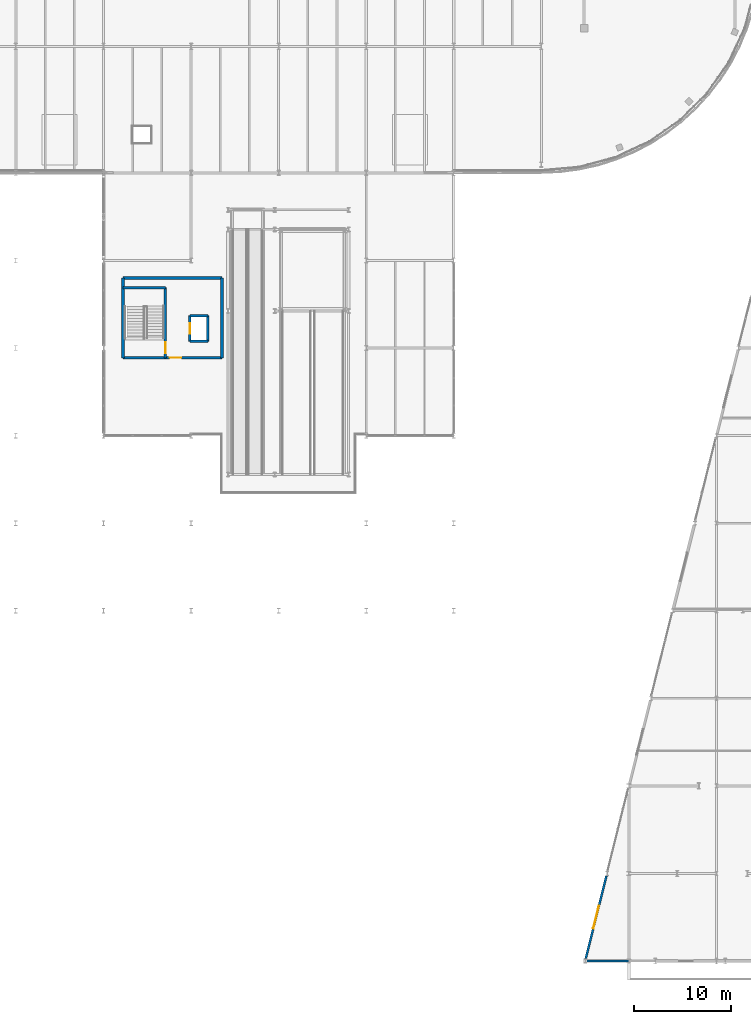
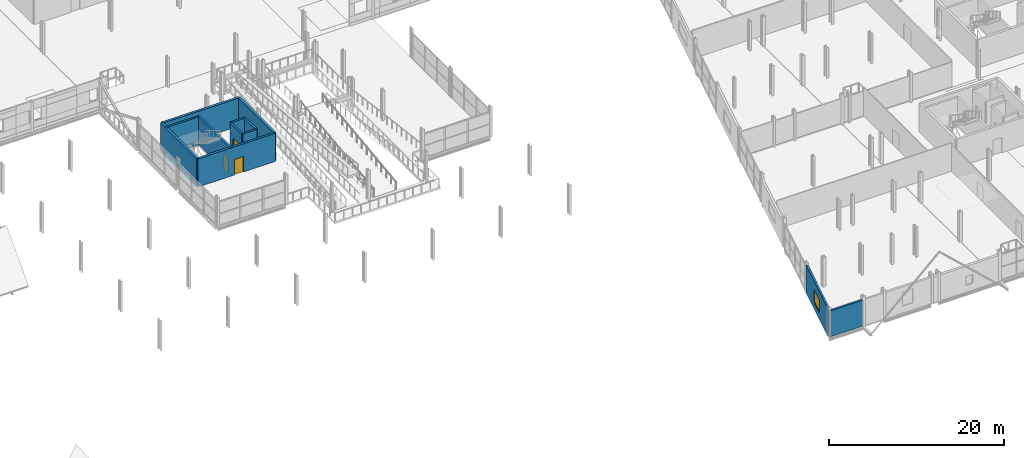
# One storey, part 84 of 103: 12 walls, 3 doors, 1 window, 4 openings.
"""IFC4 building model written with IfcOpenShell, lengths in metres."""

import ifcopenshell
import ifcopenshell.guid

model = None  # the IFC model being written
_history = None  # IfcOwnerHistory: only IFC2X3 demands one
_inside = {}  # id of a spatial element -> (the spatial element, [elements in it])
_under = {}  # id of a project, library or spatial element -> (it, [spatial elements below it])
_declared = {}  # id of a project -> (the project, [libraries it declares])
_typed = {}  # id of a type object -> (the type object, [elements of that type])
_made_of = {}  # id of a material, layer set ... -> (it, [elements and type objects made of it])


def new_model(schema):
    """Start an empty IFC model of exactly this schema.

    Asked for "IFC4X3", IfcOpenShell would pick the latest addendum, in which some entities
    have other attributes; the version numbers below select the first issue.
    IFC2X3 requires an IfcOwnerHistory on every rooted entity: one is made here for all.
    """
    global model, _history
    if schema == "IFC4X3":
        model = ifcopenshell.file(schema_version=(4, 3, 0, 0))
    else:
        model = ifcopenshell.file(schema=schema)
    _inside.clear()
    _under.clear()
    _declared.clear()
    _typed.clear()
    _made_of.clear()
    _history = None
    if model.schema == "IFC2X3":
        org = make("IfcOrganization", Name="unknown")
        user = make(
            "IfcPersonAndOrganization",
            ThePerson=make("IfcPerson", FamilyName="unknown"),
            TheOrganization=org,
        )
        app = make(
            "IfcApplication",
            ApplicationDeveloper=org,
            Version="unknown",
            ApplicationFullName="unknown",
            ApplicationIdentifier="unknown",
        )
        _history = make(
            "IfcOwnerHistory",
            OwningUser=user,
            OwningApplication=app,
            ChangeAction="ADDED",
            CreationDate=0,
        )
    return model


def make(cls, **values):
    """One entity of the class cls with the attributes given. An attribute that is None is left unset."""
    return model.create_entity(
        cls, **{name: value for name, value in values.items() if value is not None}
    )


def rooted(cls, **values):
    """An entity with a GlobalId (a new one), such as an element, a storey or a relation."""
    return make(cls, GlobalId=ifcopenshell.guid.new(), OwnerHistory=_history, **values)


def si_unit(unit_type, name, prefix=None):
    """IfcSIUnit, for example si_unit("LENGTHUNIT", "METRE", prefix="MILLI")."""
    return make("IfcSIUnit", UnitType=unit_type, Prefix=prefix, Name=name)


def assignment(units):
    """IfcUnitAssignment: the units of a project."""
    return None if units is None else make("IfcUnitAssignment", Units=units)


def point(xyz):
    """IfcCartesianPoint."""
    return None if xyz is None else make("IfcCartesianPoint", Coordinates=xyz)


def direction(xyz):
    """IfcDirection."""
    return None if xyz is None else make("IfcDirection", DirectionRatios=xyz)


def frame(location, z_axis=None, x_axis=None):
    """IfcAxis2Placement3D, a coordinate frame: its origin and axes. An axis left out is left unset."""
    return make(
        "IfcAxis2Placement3D",
        Location=point(location),
        Axis=direction(z_axis),
        RefDirection=direction(x_axis),
    )


def frame_2d(location, x_axis=None):
    """IfcAxis2Placement2D, a coordinate frame in the plane: its origin and x axis."""
    return make(
        "IfcAxis2Placement2D", Location=point(location), RefDirection=direction(x_axis)
    )


def origin():
    """The frame at (0, 0, 0) with its axes left unset."""
    return frame((0.0, 0.0, 0.0))


def place(relative_to, where):
    """IfcLocalPlacement: puts the frame where relative to a parent placement (None: the world)."""
    return make(
        "IfcLocalPlacement", PlacementRelTo=relative_to, RelativePlacement=where
    )


def context(
    kind, dimensions, precision=None, world=None, true_north=None, identifier=None
):
    """IfcGeometricRepresentationContext, for example the 3D "Model" context."""
    return make(
        "IfcGeometricRepresentationContext",
        ContextIdentifier=identifier,
        ContextType=kind,
        CoordinateSpaceDimension=dimensions,
        Precision=precision,
        WorldCoordinateSystem=world,
        TrueNorth=true_north,
    )


def subcontext(parent, identifier, kind, view, scale=None):
    """IfcGeometricRepresentationSubContext, for example "Body" below "Model"."""
    return make(
        "IfcGeometricRepresentationSubContext",
        ContextIdentifier=identifier,
        ContextType=kind,
        ParentContext=parent,
        TargetScale=scale,
        TargetView=view,
    )


def project(units=None, contexts=None):
    """IfcProject with its units and contexts."""
    return rooted(
        "IfcProject",
        Name="project",
        RepresentationContexts=contexts,
        UnitsInContext=assignment(units),
    )


def spatial(cls, under=None, at=None, **own):
    """A site, building, storey or space (cls), placed at a placement, below another one or the project."""
    s = rooted(cls, ObjectPlacement=at, **own)
    if under is not None:
        _under.setdefault(under.id(), (under, []))[1].append(s)
    return s


def profile(cls, at=None, kind="AREA", **sizes):
    """A parametric profile (cls). Its sizes go by their IFC names, for example OverallWidth=200.0."""
    return make(cls, ProfileType=kind, Position=at, **sizes)


def rectangle(**sizes):
    """IfcRectangleProfileDef."""
    return profile("IfcRectangleProfileDef", **sizes)


def extrude(swept, where, along, depth):
    """IfcExtrudedAreaSolid: the profile swept, set in the frame where, extruded along a direction by depth."""
    return make(
        "IfcExtrudedAreaSolid",
        SweptArea=swept,
        Position=where,
        ExtrudedDirection=direction(along),
        Depth=depth,
    )


def shape(context_of_items, identifier, shape_type, items):
    """IfcShapeRepresentation: the items that make up one representation, for example the "Body"."""
    return make(
        "IfcShapeRepresentation",
        ContextOfItems=context_of_items,
        RepresentationIdentifier=identifier,
        RepresentationType=shape_type,
        Items=items,
    )


def material(Name=None, Category=None):
    """IfcMaterial."""
    return make("IfcMaterial", Name=Name, Category=Category)


def layer(
    of_material, thickness, ventilated=None, Name=None, Category=None, Priority=None
):
    """IfcMaterialLayer: one layer of a wall or slab, of a material (None: an air gap)."""
    return make(
        "IfcMaterialLayer",
        Material=of_material,
        LayerThickness=thickness,
        IsVentilated=ventilated,
        Name=Name,
        Category=Category,
        Priority=Priority,
    )


def layer_set(layers, Name=None):
    """IfcMaterialLayerSet."""
    return make("IfcMaterialLayerSet", MaterialLayers=layers, LayerSetName=Name)


def made_of(thing, what):
    """Note that an element or type object is made of a material, layer set ...; save() writes the relation."""
    if what is not None:
        _made_of.setdefault(what.id(), (what, []))[1].append(thing)
    return thing


def type_object(cls, material=None, **own):
    """A type object (cls), such as IfcWallType, which elements share."""
    return made_of(rooted(cls, **own), material)


def element(
    cls,
    number,
    at=None,
    inside=None,
    cuts=None,
    type_object=None,
    material=None,
    context=None,
    identifier="Body",
    shape_type=None,
    held_by="IfcProductDefinitionShape",
    body=None,
    shapes=None,
    **own,
):
    """One element of the class cls, such as IfcWall. Its Tag is "e" and its number.

    at: its placement. inside: the storey or other place that contains it. cuts: it is an
    opening in that element (IfcRelVoidsElement). A single representation is given by context,
    identifier, shape_type and body (its items); several are given by shapes. held_by: the class
    of the entity that holds the representations. save() writes the other relations.
    """
    e = rooted(cls, Tag="e%d" % number, ObjectPlacement=at, **own)
    if body is not None:
        shapes = [shape(context, identifier, shape_type, body)]
    if shapes is not None:
        e.Representation = make(held_by, Representations=shapes)
    if inside is not None:
        _inside.setdefault(inside.id(), (inside, []))[1].append(e)
    if cuts is not None:
        rooted(
            "IfcRelVoidsElement", RelatingBuildingElement=cuts, RelatedOpeningElement=e
        )
    if type_object is not None:
        _typed.setdefault(type_object.id(), (type_object, []))[1].append(e)
    return made_of(e, material)


def fill(opening, filler):
    """IfcRelFillsElement: the door or window that sits in an opening."""
    return rooted(
        "IfcRelFillsElement",
        RelatingOpeningElement=opening,
        RelatedBuildingElement=filler,
    )


def aggregate(whole, parts):
    """IfcRelAggregates: a whole, such as a stair, and the parts it consists of."""
    return rooted("IfcRelAggregates", RelatingObject=whole, RelatedObjects=parts)


def save(model, path):
    """Write the relations noted so far, then the file.

    IfcRelAggregates (storeys below a building ...), IfcRelContainedInSpatialStructure (elements
    in a storey), IfcRelDefinesByType, IfcRelAssociatesMaterial and IfcRelDeclares: one each for
    every whole, place, type object, material and project.
    """
    for whole, parts in _under.values():
        aggregate(whole, parts)
    for where, things in _inside.values():
        rooted(
            "IfcRelContainedInSpatialStructure",
            RelatedElements=things,
            RelatingStructure=where,
        )
    for kind, things in _typed.values():
        rooted("IfcRelDefinesByType", RelatedObjects=things, RelatingType=kind)
    for what, things in _made_of.values():
        rooted("IfcRelAssociatesMaterial", RelatedObjects=things, RelatingMaterial=what)
    for by, libraries in _declared.values():
        rooted("IfcRelDeclares", RelatingContext=by, RelatedDefinitions=libraries)
    model.write(path)


model = new_model("IFC4")

# Units and contexts
model_context = context("Model", 3, precision=1e-05, world=origin(), true_north=direction((0.0, 1.0)))
body_context = subcontext(model_context, "Body", "Model", "MODEL_VIEW")
ifc_project = project(units=[si_unit("LENGTHUNIT", "METRE"), si_unit("AREAUNIT", "SQUARE_METRE"), si_unit("VOLUMEUNIT", "CUBIC_METRE"), si_unit("PLANEANGLEUNIT", "RADIAN"), si_unit("MASSUNIT", "GRAM", prefix="KILO")], contexts=[model_context])

# Site, building, storey
site_placement = place(None, origin())
site = spatial("IfcSite", under=ifc_project, at=site_placement, CompositionType="ELEMENT")
building_placement = place(site_placement, origin())
building = spatial("IfcBuilding", under=site, at=building_placement, Name="Deido Ridge Mobility Hub", CompositionType="ELEMENT")
storey_placement = place(building_placement, frame((0.0, 0.0, 12.60009765625)))
storey = spatial("IfcBuildingStorey", under=building, at=storey_placement, Name="L03", CompositionType="ELEMENT", Elevation=12.60009765625)

# Wall, opening, window
ifc_material_1 = material(Name="Powder-coated aluminium cladding EN AW-3003", Category="aluminium")
ifc_layer_1 = layer(ifc_material_1, 0.22509765625, Name="Powder-coated aluminium cladding EN AW-3003")
ifc_layer_set_1 = layer_set([ifc_layer_1], Name="Powder-coated aluminium cladding EN AW-3003")
wall_type_1 = type_object("IfcWallType", Name="WL-EXT-ALU-225", PredefinedType="STANDARD", material=ifc_layer_set_1)
wall_1_placement = place(storey_placement, frame((121.561767578125, 0.2470703125, 0.0), z_axis=(0.0, 0.0, 1.0), x_axis=(0.242535625036, 0.970142500145, 0.0)))
wall_1 = element("IfcWall", 1, at=wall_1_placement, inside=storey, type_object=wall_type_1, Name="Exterior wall EW6", PredefinedType="STANDARD", context=body_context, shape_type="SweptSolid", body=[
    extrude(rectangle(XDim=8.767578125, YDim=0.22509765625, at=frame_2d((4.3837890625, 0.0))), origin(), (0.0, 0.0, 1.0), 3.9248046875),
])
opening_1_placement = place(wall_1_placement, frame((3.183837890625, 0.0, 0.949951171875)))
opening_1 = element("IfcOpeningElement", 2, at=opening_1_placement, cuts=wall_1, Name="Opening W11", PredefinedType="OPENING", context=body_context, shape_type="SweptSolid", body=[
    extrude(rectangle(XDim=2.39990234375, YDim=1.800048828125, at=frame_2d((1.199951171875, 0.89990234375))), frame((0.0, 0.12255859375, 0.0), z_axis=(0.0, -1.0, 0.0), x_axis=(1.0, 0.0, 0.0)), (0.0, 0.0, 1.0), 0.2451171875),
])
ifc_material_2 = material(Name="Laminated solar-control low-E glass", Category="glass")
window_type = type_object("IfcWindowType", Name="WN-ALU-2400X1800", PartitioningType="DOUBLE_PANEL_VERTICAL", PredefinedType="WINDOW", material=ifc_material_2)
window_placement = place(opening_1_placement, origin())
window = element("IfcWindow", 3, at=window_placement, inside=storey, type_object=window_type, Name="Exterior window W11", OverallHeight=1.800048828125, OverallWidth=2.39990234375, PartitioningType="SINGLE_PANEL", PredefinedType="WINDOW", context=body_context, shape_type="SweptSolid", body=[
    extrude(rectangle(XDim=2.39990234375, YDim=1.800048828125, at=frame_2d((1.199951171875, 0.89990234375))), frame((0.0, 0.030029296875, 0.0), z_axis=(0.0, -1.0, 0.0), x_axis=(1.0, 0.0, 0.0)), (0.0, 0.0, 1.0), 0.06005859375),
])
fill(opening_1, window)

# Wall
ifc_material_3 = material(Name="Concrete blockwork masonry", Category="masonry")
ifc_layer_2 = layer(ifc_material_3, 0.2451171875, Name="Concrete blockwork masonry")
ifc_layer_set_2 = layer_set([ifc_layer_2], Name="Concrete blockwork masonry")
wall_type_2 = type_object("IfcWallType", Name="WL-EXT-BLK-245", PredefinedType="STANDARD", material=ifc_layer_set_2)
wall_2_placement = place(storey_placement, frame((121.507080078125, 0.0, 0.0), z_axis=(0.0, 0.0, 1.0), x_axis=(1.0, 0.0, 0.0)))
element("IfcWall", 4, at=wall_2_placement, inside=storey, type_object=wall_type_2, Name="Exterior wall EW4", PredefinedType="STANDARD", context=body_context, shape_type="SweptSolid", body=[
    extrude(rectangle(XDim=4.484130859375, YDim=0.2451171875, at=frame_2d((2.2421875, 0.0))), origin(), (0.0, 0.0, 1.0), 3.6298828125),
])

# Wall, opening, door
ifc_material_4 = material(Name="Concrete C40/50", Category="concrete")
ifc_layer_3 = layer(ifc_material_4, 0.25, Name="Concrete C40/50")
ifc_layer_set_3 = layer_set([ifc_layer_3], Name="Concrete C40/50")
wall_type_3 = type_object("IfcWallType", Name="WL-SHR-RC-250", PredefinedType="SHEAR", material=ifc_layer_set_3)
wall_3_placement = place(storey_placement, frame((78.360107421875, 62.0, 0.0), z_axis=(0.0, 0.0, 1.0), x_axis=(0.0, 1.0, 0.0)))
wall_3 = element("IfcWall", 5, at=wall_3_placement, inside=storey, type_object=wall_type_3, Name="C4 stair shaft east wall", PredefinedType="SHEAR", context=body_context, shape_type="SweptSolid", body=[
    extrude(rectangle(XDim=7.199951171875, YDim=0.25, at=frame_2d((3.60009765625, 0.0))), origin(), (0.0, 0.0, 1.0), 3.9248046875),
])
opening_2_placement = place(wall_3_placement, frame((0.449951171875, 0.0, 0.0)))
opening_2 = element("IfcOpeningElement", 6, at=opening_2_placement, cuts=wall_3, Name="Opening FD-C4-L03", PredefinedType="OPENING", context=body_context, shape_type="SweptSolid", body=[
    extrude(rectangle(XDim=1.14990234375, YDim=2.14990234375, at=frame_2d((0.574951171875, 1.074951171875))), frame((0.0, 0.135009765625, 0.0), z_axis=(0.0, -1.0, 0.0), x_axis=(1.0, 0.0, 0.0)), (0.0, 0.0, 1.0), 0.27001953125),
])
ifc_material_5 = material(Name="Galvanised steel work", Category="steel")
door_type_1 = type_object("IfcDoorType", Name="DR-FD60-1150X2150", OperationType="NOTDEFINED", PredefinedType="DOOR", material=ifc_material_5)
door_1_placement = place(opening_2_placement, origin())
door_1 = element("IfcDoor", 7, at=door_1_placement, inside=storey, type_object=door_type_1, Name="DR-I0091 C4 protected stair door (L03)", OperationType="SINGLE_SWING_LEFT", OverallHeight=2.14990234375, OverallWidth=1.14990234375, PredefinedType="DOOR", context=body_context, shape_type="SweptSolid", body=[
    extrude(rectangle(XDim=1.14990234375, YDim=2.14990234375, at=frame_2d((0.574951171875, 1.074951171875))), frame((0.0, 0.02490234375, 0.0), z_axis=(0.0, -1.0, 0.0), x_axis=(1.0, 0.0, 0.0)), (0.0, 0.0, 1.0), 0.050048828125),
])
fill(opening_2, door_1)

# Walls
wall_4_placement = place(storey_placement, frame((74.0, 69.199951171875, 0.0), z_axis=(0.0, 0.0, 1.0), x_axis=(1.0, 0.0, 0.0)))
element("IfcWall", 8, at=wall_4_placement, inside=storey, type_object=wall_type_3, Name="C4 stair shaft north wall", PredefinedType="SHEAR", context=body_context, shape_type="SweptSolid", body=[
    extrude(rectangle(XDim=4.360107421875, YDim=0.25, at=frame_2d((2.18017578125, 0.0))), origin(), (0.0, 0.0, 1.0), 3.9248046875),
])
for number, where, z_axis, x_axis, name in (
    (9, (80.875, 63.675048828125, 0.0), (0.0, 0.0, 1.0), (1.0, 0.0, 0.0), "Lift PL2 south shaft wall"),
    (10, (80.875, 66.324951171875, 0.0), (0.0, 0.0, 1.0), (1.0, 0.0, 0.0), "Lift PL2 north shaft wall"),
):
    element("IfcWall", number, at=place(storey_placement, frame(where, z_axis=z_axis, x_axis=x_axis)), inside=storey, type_object=wall_type_3, Name=name, PredefinedType="SHEAR", context=body_context, shape_type="SweptSolid", body=[
        extrude(rectangle(XDim=1.85009765625, YDim=0.25, at=frame_2d((0.925048828125, 0.0))), origin(), (0.0, 0.0, 1.0), 3.9248046875),
    ])
wall_5_placement = place(storey_placement, frame((82.72509765625, 63.675048828125, 0.0), z_axis=(0.0, 0.0, 1.0), x_axis=(0.0, 1.0, 0.0)))
element("IfcWall", 11, at=wall_5_placement, inside=storey, type_object=wall_type_3, Name="Lift PL2 rear shaft wall", PredefinedType="SHEAR", context=body_context, shape_type="SweptSolid", body=[
    extrude(rectangle(XDim=2.64990234375, YDim=0.25, at=frame_2d((1.324951171875, 0.0))), origin(), (0.0, 0.0, 1.0), 3.9248046875),
])

# Wall, opening, door
wall_6_placement = place(storey_placement, frame((80.875, 63.675048828125, 0.0), z_axis=(0.0, 0.0, 1.0), x_axis=(0.0, 1.0, 0.0)))
wall_6 = element("IfcWall", 12, at=wall_6_placement, inside=storey, type_object=wall_type_3, Name="Lift PL2 landing wall", PredefinedType="SHEAR", context=body_context, shape_type="SweptSolid", body=[
    extrude(rectangle(XDim=2.64990234375, YDim=0.25, at=frame_2d((1.324951171875, 0.0))), origin(), (0.0, 0.0, 1.0), 3.9248046875),
])
opening_3_placement = place(wall_6_placement, frame((0.77490234375, 0.0, 0.0)))
opening_3 = element("IfcOpeningElement", 13, at=opening_3_placement, cuts=wall_6, Name="Opening LD-PL2", PredefinedType="OPENING", context=body_context, shape_type="SweptSolid", body=[
    extrude(rectangle(XDim=1.10009765625, YDim=2.14990234375, at=frame_2d((0.550048828125, 1.074951171875))), frame((0.0, 0.135009765625, 0.0), z_axis=(0.0, -1.0, 0.0), x_axis=(1.0, 0.0, 0.0)), (0.0, 0.0, 1.0), 0.27001953125),
])
ifc_material_6 = material(Name="Stainless steel 316", Category="steel")
door_type_2 = type_object("IfcDoorType", Name="DR-LND-PAS-1100X2150", OperationType="DOUBLE_DOOR_SLIDING", PredefinedType="USERDEFINED", material=ifc_material_6)
door_2_placement = place(opening_3_placement, origin())
door_2 = element("IfcDoor", 14, at=door_2_placement, inside=storey, type_object=door_type_2, Name="DR-I0093 Lift PL2 sliding landing door (L03)", ObjectType="LANDING DOOR", OperationType="DOUBLE_DOOR_SLIDING", OverallHeight=2.14990234375, OverallWidth=1.10009765625, PredefinedType="USERDEFINED", context=body_context, shape_type="SweptSolid", body=[
    extrude(rectangle(XDim=1.10009765625, YDim=2.14990234375, at=frame_2d((0.550048828125, 1.074951171875))), frame((0.0, 0.02490234375, 0.0), z_axis=(0.0, -1.0, 0.0), x_axis=(1.0, 0.0, 0.0)), (0.0, 0.0, 1.0), 0.050048828125),
])
fill(opening_3, door_2)

ifc_layer_4 = layer(ifc_material_4, 0.300048828125, Name="Concrete C40/50")
ifc_layer_set_4 = layer_set([ifc_layer_4], Name="Concrete C40/50")
wall_type_4 = type_object("IfcWallType", Name="WL-SHR-RC-300", PredefinedType="SHEAR", material=ifc_layer_set_4)
wall_7_placement = place(storey_placement, frame((74.0, 62.0, 0.0), z_axis=(0.0, 0.0, 1.0), x_axis=(1.0, 0.0, 0.0)))
wall_7 = element("IfcWall", 15, at=wall_7_placement, inside=storey, type_object=wall_type_4, Name="C4 south shear wall", PredefinedType="SHEAR", context=body_context, shape_type="SweptSolid", body=[
    extrude(rectangle(XDim=10.199951171875, YDim=0.300048828125, at=frame_2d((5.10009765625, 0.0))), origin(), (0.0, 0.0, 1.0), 3.9248046875),
])
opening_4_placement = place(wall_7_placement, frame((4.800048828125, 0.0, 0.0)))
opening_4 = element("IfcOpeningElement", 16, at=opening_4_placement, cuts=wall_7, Name="Opening LD-C4-092", PredefinedType="OPENING", context=body_context, shape_type="SweptSolid", body=[
    extrude(rectangle(XDim=1.199951171875, YDim=2.14990234375, at=frame_2d((0.60009765625, 1.074951171875))), frame((0.0, 0.16015625, 0.0), z_axis=(0.0, -1.0, 0.0), x_axis=(1.0, 0.0, 0.0)), (0.0, 0.0, 1.0), 0.320068359375),
])
door_type_3 = type_object("IfcDoorType", Name="DR-FD60-1200X2150", OperationType="NOTDEFINED", PredefinedType="DOOR", material=ifc_material_5)
door_3_placement = place(opening_4_placement, origin())
door_3 = element("IfcDoor", 17, at=door_3_placement, inside=storey, type_object=door_type_3, Name="DR-I0092 C4 lift lobby door (L03)", OperationType="SINGLE_SWING_RIGHT", OverallHeight=2.14990234375, OverallWidth=1.199951171875, PredefinedType="DOOR", context=body_context, shape_type="SweptSolid", body=[
    extrude(rectangle(XDim=1.199951171875, YDim=2.14990234375, at=frame_2d((0.60009765625, 1.074951171875))), frame((0.0, 0.02490234375, 0.0), z_axis=(0.0, -1.0, 0.0), x_axis=(1.0, 0.0, 0.0)), (0.0, 0.0, 1.0), 0.050048828125),
])
fill(opening_4, door_3)

# Walls
wall_8_placement = place(storey_placement, frame((84.199951171875, 62.0, 0.0), z_axis=(0.0, 0.0, 1.0), x_axis=(0.0, 1.0, 0.0)))
element("IfcWall", 18, at=wall_8_placement, inside=storey, type_object=wall_type_4, Name="C4 east shear wall", PredefinedType="SHEAR", context=body_context, shape_type="SweptSolid", body=[
    extrude(rectangle(XDim=8.199951171875, YDim=0.300048828125, at=frame_2d((4.10009765625, 0.0))), origin(), (0.0, 0.0, 1.0), 3.9248046875),
])
wall_9_placement = place(storey_placement, frame((84.199951171875, 70.199951171875, 0.0), z_axis=(0.0, 0.0, 1.0), x_axis=(-1.0, 0.0, 0.0)))
element("IfcWall", 19, at=wall_9_placement, inside=storey, type_object=wall_type_4, Name="C4 north shear wall", PredefinedType="SHEAR", context=body_context, shape_type="SweptSolid", body=[
    extrude(rectangle(XDim=10.199951171875, YDim=0.300048828125, at=frame_2d((5.10009765625, 0.0))), origin(), (0.0, 0.0, 1.0), 3.9248046875),
])
wall_10_placement = place(storey_placement, frame((74.0, 70.199951171875, 0.0), z_axis=(0.0, 0.0, 1.0), x_axis=(0.0, -1.0, 0.0)))
element("IfcWall", 20, at=wall_10_placement, inside=storey, type_object=wall_type_4, Name="C4 west shear wall", PredefinedType="SHEAR", context=body_context, shape_type="SweptSolid", body=[
    extrude(rectangle(XDim=8.199951171875, YDim=0.300048828125, at=frame_2d((4.10009765625, 0.0))), origin(), (0.0, 0.0, 1.0), 3.9248046875),
])

save(model, "model.ifc")
